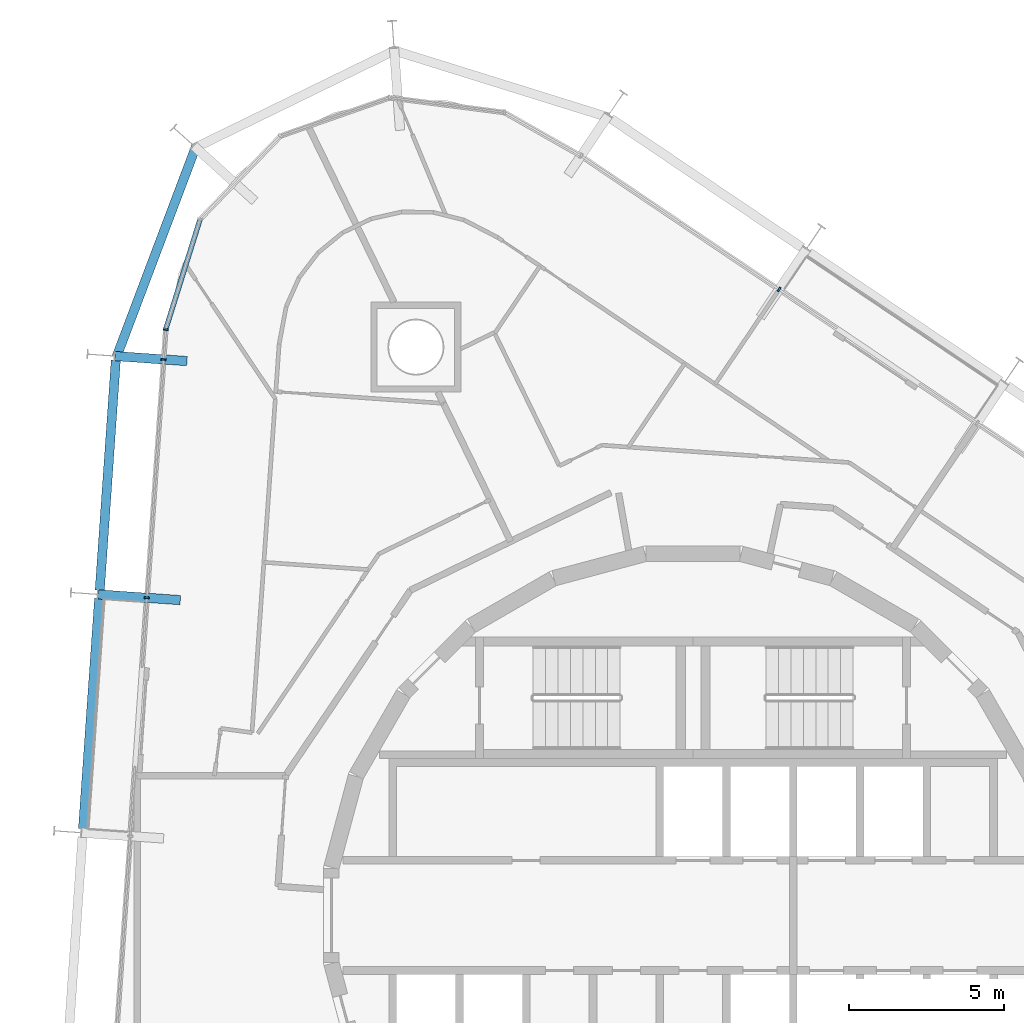
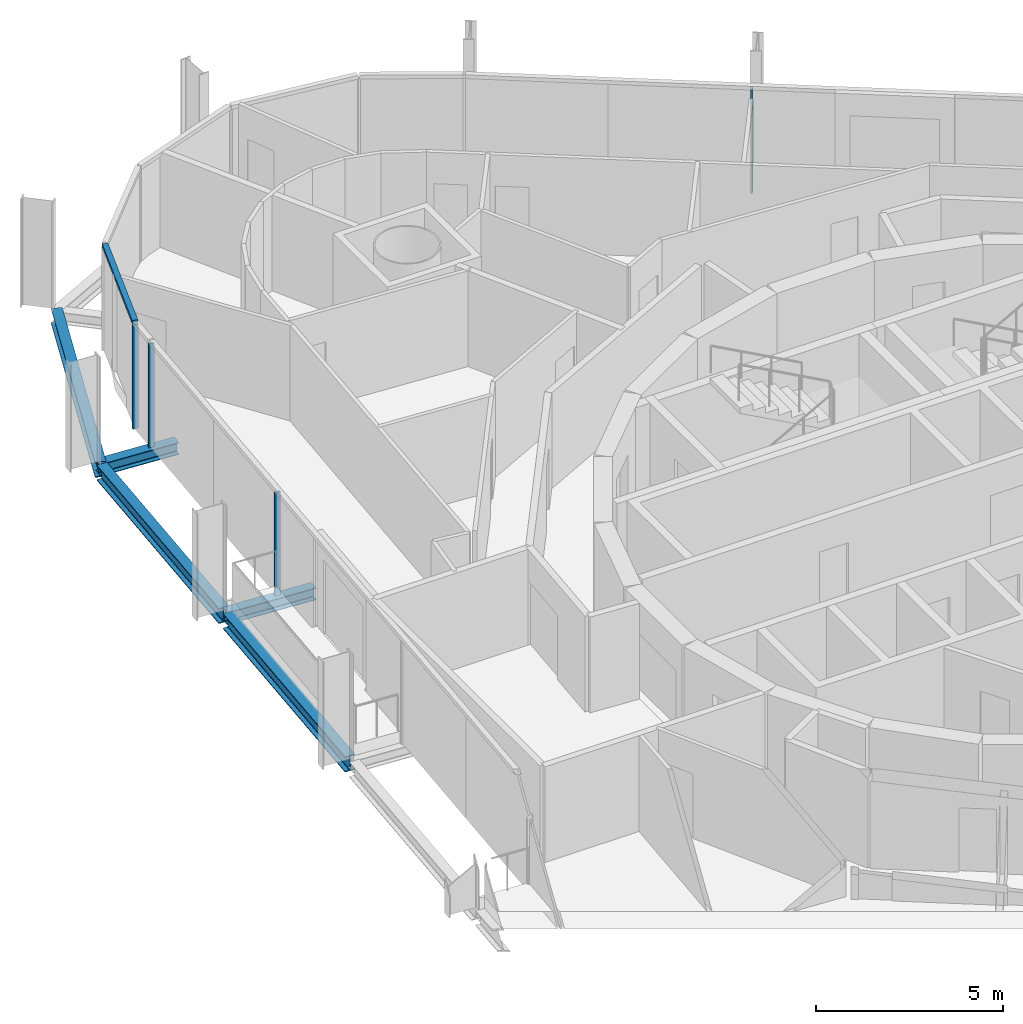
# One storey, part 6 of 18: 5 beams, 5 members, 3 elements without a shape of their own.
"""IFC4 building model written with IfcOpenShell, lengths in metres."""

from ifc_helpers import new_model, si_unit, direction, frame, origin, origin_2d, place, context, subcontext, project, spatial, rectangle, i_section, extrude, material, layer, layer_set, material_profile, profile_set, type_object, element, aggregate, save


model = new_model("IFC4")

# Units and contexts
model_context = context("Model", 3, precision=1e-05, world=origin(), true_north=direction((0.0, 1.0)))
body_context = subcontext(model_context, "Body", "Model", "MODEL_VIEW")
ifc_project = project(units=[si_unit("LENGTHUNIT", "METRE"), si_unit("AREAUNIT", "SQUARE_METRE"), si_unit("VOLUMEUNIT", "CUBIC_METRE"), si_unit("PLANEANGLEUNIT", "RADIAN"), si_unit("MASSUNIT", "GRAM", prefix="KILO")], contexts=[model_context])

# Site, building, storey
site_placement = place(None, origin())
site = spatial("IfcSite", under=ifc_project, at=site_placement, CompositionType="ELEMENT")
building_placement = place(site_placement, origin())
building = spatial("IfcBuilding", under=site, at=building_placement, Name="Spindle Arch Residences", CompositionType="ELEMENT")
storey_placement = place(building_placement, frame((0.0, 0.0, 198.89990234375)))
storey = spatial("IfcBuildingStorey", under=building, at=storey_placement, Name="L50", CompositionType="ELEMENT", Elevation=198.89990234375)

# Curtain wall, member
ifc_material_1 = material(Name="Aluminium bronze unitised frame with tinted glass", Category="aluminium")
ifc_layer_1 = layer(ifc_material_1, 0.159912109375)
ifc_layer_set_1 = layer_set([ifc_layer_1], Name="CW-C typical residential unitised wall")
curtain_wall_type_1 = type_object("IfcCurtainWallType", Name="CW-C typical residential unitised wall", PredefinedType="NOTDEFINED", material=ifc_layer_set_1)
curtain_wall_1_placement = place(storey_placement, origin())
curtain_wall_1 = element("IfcCurtainWall", 1, at=curtain_wall_1_placement, inside=storey, type_object=curtain_wall_type_1, Name="CW-C L50 run 2", PredefinedType="NOTDEFINED")
ifc_material_2 = material(Name="Aluminium bronze anodised mullion", Category="aluminium")
ifc_material_profile_1 = material_profile(ifc_material_2, rectangle(XDim=0.159912109375, YDim=0.06005859375, at=origin_2d()), Name="MU 60x160")
ifc_profile_set_1 = profile_set([ifc_material_profile_1], Name="Aluminium bronze anodised mullion")
member_type_1 = type_object("IfcMemberType", Name="Bronze mullion 60x160", PredefinedType="MULLION", material=ifc_profile_set_1)
member_1_placement = place(storey_placement, frame((2.769775390625, 20.158203125, -0.3798828125), z_axis=(0.0, 0.0, 1.0), x_axis=(-0.559192903471, -0.829037572555, 0.0)))
member_1 = element("IfcMember", 2, at=member_1_placement, type_object=member_type_1, Name="CW-C mullion 08", PredefinedType="MULLION", context=body_context, shape_type="SweptSolid", body=[
    extrude(rectangle(XDim=0.159912109375, YDim=0.06005859375, at=origin_2d()), origin(), (0.0, 0.0, 1.0), 3.3798828125),
])
aggregate(curtain_wall_1, [member_1])

ifc_material_3 = material(Name="Aluminium bronze unitised frame with tinted glass", Category="aluminium")
ifc_layer_2 = layer(ifc_material_3, 0.159912109375)
ifc_layer_set_2 = layer_set([ifc_layer_2], Name="CW-D corner wall on the fillet arcs")
curtain_wall_type_2 = type_object("IfcCurtainWallType", Name="CW-D corner wall on the fillet arcs", PredefinedType="NOTDEFINED", material=ifc_layer_set_2)
curtain_wall_2_placement = place(storey_placement, origin())
curtain_wall_2 = element("IfcCurtainWall", 3, at=curtain_wall_2_placement, inside=storey, type_object=curtain_wall_type_2, Name="CW-D L50 run 3", PredefinedType="NOTDEFINED")
member_2_placement = place(storey_placement, frame((-16.986328125, 18.864501953125, -0.3798828125), z_axis=(0.0, 0.0, 1.0), x_axis=(0.99756405026, -0.069756473744, 0.0)))
member_2 = element("IfcMember", 4, at=member_2_placement, type_object=member_type_1, Name="CW-D mullion 05", PredefinedType="MULLION", context=body_context, shape_type="SweptSolid", body=[
    extrude(rectangle(XDim=0.159912109375, YDim=0.06005859375, at=origin_2d()), origin(), (0.0, 0.0, 1.0), 3.3798828125),
])

# Curtain wall, members
curtain_wall_3_placement = place(storey_placement, origin())
curtain_wall_3 = element("IfcCurtainWall", 5, at=curtain_wall_3_placement, inside=storey, type_object=curtain_wall_type_1, Name="CW-C L50 run 4", PredefinedType="NOTDEFINED")
member_3_placement = place(storey_placement, frame((-17.053466796875, 17.90283203125, -0.3798828125), z_axis=(0.0, 0.0, 1.0), x_axis=(0.99756405026, -0.069756473744, 0.0)))
member_3 = element("IfcMember", 6, at=member_3_placement, type_object=member_type_1, Name="CW-C mullion 12", PredefinedType="MULLION", context=body_context, shape_type="SweptSolid", body=[
    extrude(rectangle(XDim=0.159912109375, YDim=0.06005859375, at=origin_2d()), origin(), (0.0, 0.0, 1.0), 3.3798828125),
])
member_4_placement = place(storey_placement, frame((-17.590087890625, 10.22802734375, -0.3798828125), z_axis=(0.0, 0.0, 1.0), x_axis=(0.99756405026, -0.069756473744, 0.0)))
member_4 = element("IfcMember", 7, at=member_4_placement, type_object=member_type_1, Name="CW-C mullion 13", PredefinedType="MULLION", context=body_context, shape_type="SweptSolid", body=[
    extrude(rectangle(XDim=0.159912109375, YDim=0.06005859375, at=origin_2d()), origin(), (0.0, 0.0, 1.0), 3.3798828125),
])
aggregate(curtain_wall_3, [member_3, member_4])

# Member
ifc_material_4 = material(Name="Aluminium bronze anodised transom", Category="aluminium")
ifc_material_profile_2 = material_profile(ifc_material_4, rectangle(XDim=0.159912109375, YDim=0.1201171875, at=origin_2d()), Name="TR 120x160")
ifc_profile_set_2 = profile_set([ifc_material_profile_2], Name="Aluminium bronze anodised transom")
member_type_2 = type_object("IfcMemberType", Name="Bronze transom 120x160", PredefinedType="USERDEFINED", material=ifc_profile_set_2)
member_5_placement = place(storey_placement, frame((-15.884765625, 22.393310546875, 3.06005859375), z_axis=(-0.297952730594, -0.95458062537, 0.0), x_axis=(0.95458062537, -0.297952730594, 0.0)))
member_5 = element("IfcMember", 8, at=member_5_placement, type_object=member_type_2, Name="CW-D transom 04", ObjectType="TRANSOM", PredefinedType="USERDEFINED", context=body_context, shape_type="SweptSolid", body=[
    extrude(rectangle(XDim=0.159912109375, YDim=0.1201171875, at=origin_2d()), origin(), (0.0, 0.0, 1.0), 3.666748046875),
])

aggregate(curtain_wall_2, [member_5, member_2])

# Beams
ifc_material_5 = material(Name="Steel S460ML, intumescent coating R 120", Category="steel")
ifc_material_profile_3 = material_profile(ifc_material_5, i_section(OverallWidth=0.300048828125, OverallDepth=0.5, WebThickness=0.014404296875, FlangeThickness=0.028076171875, FilletRadius=0.027099609375, at=origin_2d()), Name="HEB 500")
ifc_profile_set_3 = profile_set([ifc_material_profile_3], Name="Steel S460ML, intumescent coating R 120")
beam_type_1 = type_object("IfcBeamType", Name="Exoskeleton edge beam HEB 500", PredefinedType="BEAM", material=ifc_profile_set_3)
beam_1_placement = place(storey_placement, frame((-16.005859375, 24.768310546875, -0.6298828125), z_axis=(-0.353273753707, -0.935519991738, 0.0), x_axis=(0.935519991738, -0.353273753707, 0.0)))
element("IfcBeam", 9, at=beam_1_placement, inside=storey, type_object=beam_type_1, Name="Exoskeleton edge beam 12", PredefinedType="BEAM", context=body_context, shape_type="SweptSolid", body=[
    extrude(i_section(OverallWidth=0.300048828125, OverallDepth=0.5, WebThickness=0.014404296875, FlangeThickness=0.028076171875, FilletRadius=0.027099609375, at=origin_2d()), origin(), (0.0, 0.0, 1.0), 7.26318359375),
])
beam_2_placement = place(storey_placement, frame((-18.5888671875, 17.8798828125, -0.6298828125), z_axis=(-0.069757879566, -0.997563951954, 0.0), x_axis=(0.997563951954, -0.069757879566, 0.0)))
element("IfcBeam", 10, at=beam_2_placement, inside=storey, type_object=beam_type_1, Name="Exoskeleton edge beam 13", PredefinedType="BEAM", context=body_context, shape_type="SweptSolid", body=[
    extrude(i_section(OverallWidth=0.300048828125, OverallDepth=0.5, WebThickness=0.014404296875, FlangeThickness=0.028076171875, FilletRadius=0.027099609375, at=origin_2d()), origin(), (0.0, 0.0, 1.0), 7.43359375),
])
beam_3_placement = place(storey_placement, frame((-19.12548828125, 10.205078125, -0.6298828125), z_axis=(-0.069755594186, -0.997564111764, 0.0), x_axis=(0.997564111764, -0.069755594186, 0.0)))
element("IfcBeam", 11, at=beam_3_placement, inside=storey, type_object=beam_type_1, Name="Exoskeleton edge beam 14", PredefinedType="BEAM", context=body_context, shape_type="SweptSolid", body=[
    extrude(i_section(OverallWidth=0.300048828125, OverallDepth=0.5, WebThickness=0.014404296875, FlangeThickness=0.028076171875, FilletRadius=0.027099609375, at=origin_2d()), origin(), (0.0, 0.0, 1.0), 7.433837890625),
])
ifc_material_6 = material(Name="Steel S460ML, intumescent coating R 120", Category="steel")
ifc_material_profile_4 = material_profile(ifc_material_6, i_section(OverallWidth=0.300048828125, OverallDepth=0.389892578125, WebThickness=0.010986328125, FlangeThickness=0.01904296875, FilletRadius=0.027099609375, at=origin_2d()), Name="HEA 400")
ifc_profile_set_4 = profile_set([ifc_material_profile_4], Name="Steel S460ML, intumescent coating R 120")
beam_type_2 = type_object("IfcBeamType", Name="Floor outrigger HEA 400", PredefinedType="BEAM", material=ifc_profile_set_4)
beam_4_placement = place(storey_placement, frame((-18.61962890625, 18.012451171875, -0.574951171875), z_axis=(0.997565099834, -0.069741462509, 0.0), x_axis=(0.069741462509, 0.997565099834, 0.0)))
element("IfcBeam", 12, at=beam_4_placement, inside=storey, type_object=beam_type_2, Name="Floor outrigger 13", PredefinedType="BEAM", context=body_context, shape_type="SweptSolid", body=[
    extrude(i_section(OverallWidth=0.300048828125, OverallDepth=0.389892578125, WebThickness=0.010986328125, FlangeThickness=0.01904296875, FilletRadius=0.027099609375, at=origin_2d()), origin(), (0.0, 0.0, 1.0), 2.327880859375),
])
beam_5_placement = place(storey_placement, frame((-19.15625, 10.33740234375, -0.574951171875), z_axis=(0.997565124092, -0.069741115528, 0.0), x_axis=(0.069741115528, 0.997565124092, 0.0)))
element("IfcBeam", 13, at=beam_5_placement, inside=storey, type_object=beam_type_2, Name="Floor outrigger 14", PredefinedType="BEAM", context=body_context, shape_type="SweptSolid", body=[
    extrude(i_section(OverallWidth=0.300048828125, OverallDepth=0.389892578125, WebThickness=0.010986328125, FlangeThickness=0.01904296875, FilletRadius=0.027099609375, at=origin_2d()), origin(), (0.0, 0.0, 1.0), 2.64990234375),
])

save(model, "model.ifc")
